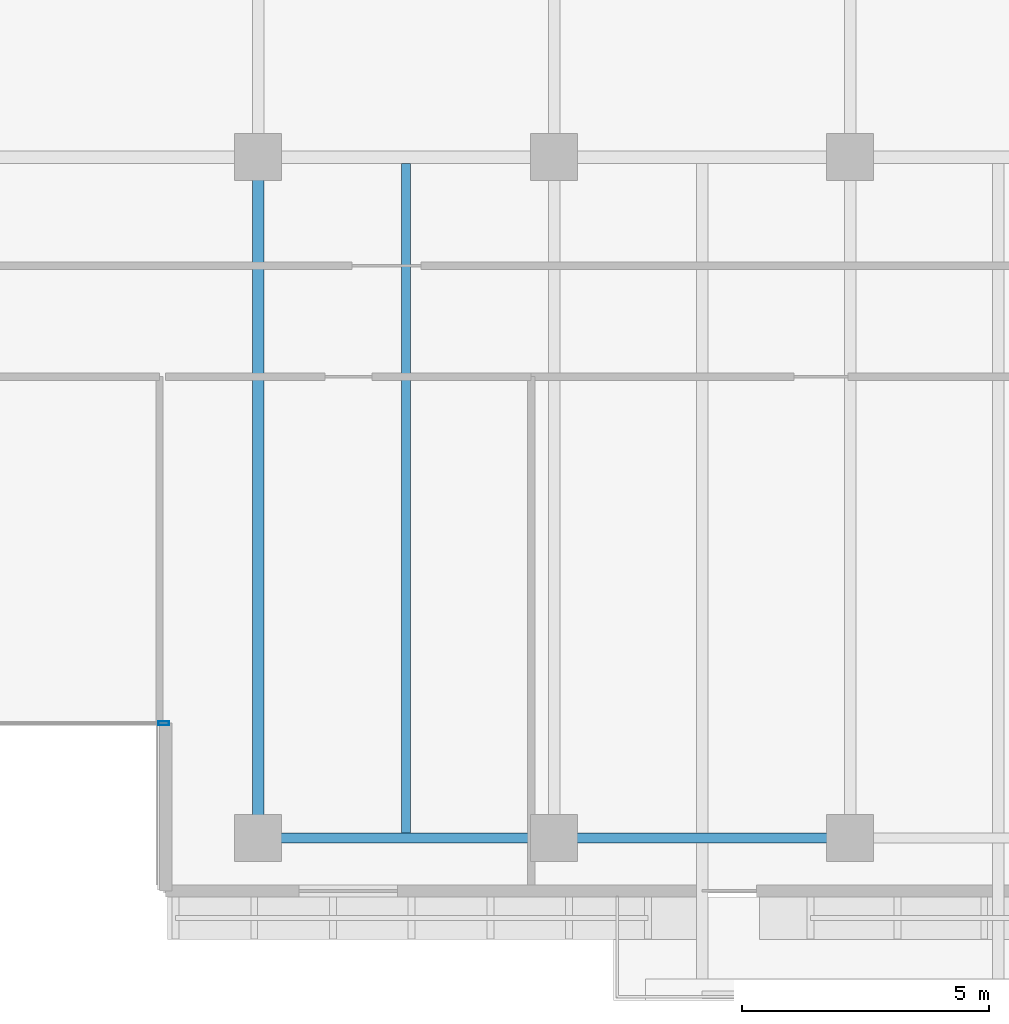
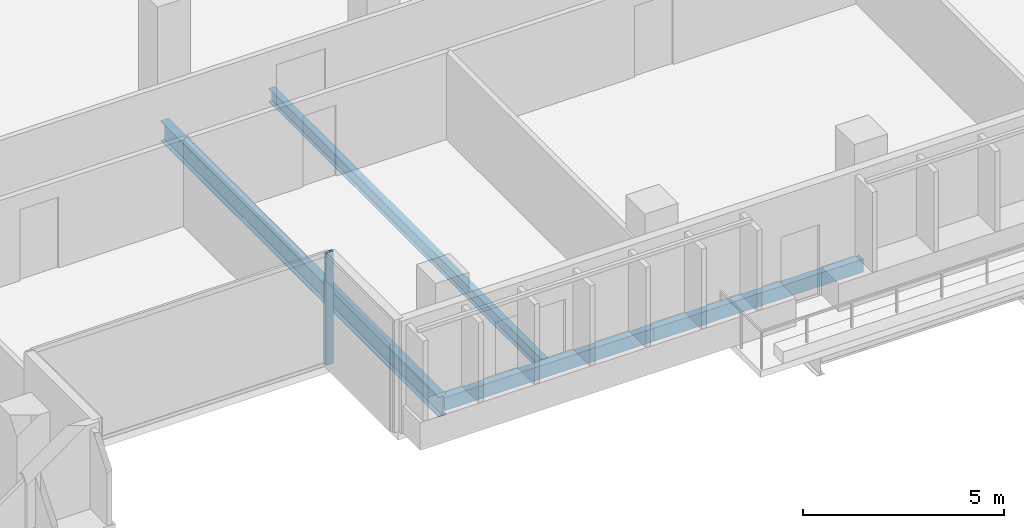
# One storey, part 4 of 22: 4 beams, 1 member, 1 element without a shape of its own.
"""IFC4 building model written with IfcOpenShell, lengths in metres."""

from ifc_helpers import new_model, si_unit, direction, frame, origin, origin_2d, place, context, subcontext, project, spatial, hollow_rectangle, i_section, extrude, material, layer, layer_set, material_profile, profile_set, type_object, element, aggregate, save


model = new_model("IFC4")

# Units and contexts
model_context = context("Model", 3, precision=1e-05, world=origin(), true_north=direction((0.0, 1.0)))
body_context = subcontext(model_context, "Body", "Model", "MODEL_VIEW")
ifc_project = project(units=[si_unit("LENGTHUNIT", "METRE"), si_unit("AREAUNIT", "SQUARE_METRE"), si_unit("VOLUMEUNIT", "CUBIC_METRE"), si_unit("PLANEANGLEUNIT", "RADIAN"), si_unit("MASSUNIT", "GRAM", prefix="KILO")], contexts=[model_context])

# Site, building, storey
site_placement = place(None, origin())
site = spatial("IfcSite", under=ifc_project, at=site_placement, CompositionType="ELEMENT")
building_placement = place(site_placement, origin())
building = spatial("IfcBuilding", under=site, at=building_placement, Name="Tanjung Sevakor Pilgrim Tower", CompositionType="ELEMENT")
storey_placement = place(building_placement, frame((0.0, 0.0, 115.830078125)))
storey = spatial("IfcBuildingStorey", under=building, at=storey_placement, Name="L32", CompositionType="ELEMENT", Elevation=115.830078125)

# Beams
ifc_material_1 = material(Name="Steel S355J2", Category="steel")
ifc_material_profile_1 = material_profile(ifc_material_1, i_section(OverallWidth=0.230224609375, OverallDepth=0.6171875, WebThickness=0.01318359375, FlangeThickness=0.022216796875, FilletRadius=0.0126953125, at=origin_2d()))
ifc_profile_set_1 = profile_set([ifc_material_profile_1], Name="Steel S355J2")
beam_type_1 = type_object("IfcBeamType", Name="BM-B-G3-UB_610x229x140", PredefinedType="BEAM", material=ifc_profile_set_1)
beam_1_placement = place(storey_placement, frame((54.0, 10.800048828125, -0.528564453125), z_axis=(0.0, 1.0, 0.0), x_axis=(-1.0, 0.0, 0.0)))
element("IfcBeam", 1, at=beam_1_placement, inside=storey, type_object=beam_type_1, Name="L32 MAIN Girder 013", PredefinedType="BEAM", context=body_context, shape_type="SweptSolid", body=[
    extrude(i_section(OverallWidth=0.230224609375, OverallDepth=0.6171875, WebThickness=0.01318359375, FlangeThickness=0.022216796875, FilletRadius=0.0126953125, at=origin_2d()), origin(), (0.0, 0.0, 1.0), 13.800048828125),
])
ifc_material_2 = material(Name="Steel S355J2", Category="steel")
ifc_material_profile_2 = material_profile(ifc_material_2, i_section(OverallWidth=0.1787109375, OverallDepth=0.409423828125, WebThickness=0.0087890625, FlangeThickness=0.014404296875, FilletRadius=0.01025390625, at=origin_2d()))
ifc_profile_set_2 = profile_set([ifc_material_profile_2], Name="Steel S355J2")
beam_type_2 = type_object("IfcBeamType", Name="BM-B-J3-UB_406x178x67", PredefinedType="JOIST", material=ifc_profile_set_2)
beam_2_placement = place(storey_placement, frame((57.0, 10.89990234375, -0.4248046875), z_axis=(0.0, 1.0, 0.0), x_axis=(-1.0, 0.0, 0.0)))
element("IfcBeam", 2, at=beam_2_placement, inside=storey, type_object=beam_type_2, Name="L32 MAIN Joist 016", PredefinedType="JOIST", context=body_context, shape_type="SweptSolid", body=[
    extrude(i_section(OverallWidth=0.1787109375, OverallDepth=0.409423828125, WebThickness=0.0087890625, FlangeThickness=0.014404296875, FilletRadius=0.01025390625, at=origin_2d()), origin(), (0.0, 0.0, 1.0), 13.57275390625),
])
ifc_material_3 = material(Name="Steel S355J2", Category="steel")
ifc_material_profile_3 = material_profile(ifc_material_3, hollow_rectangle(XDim=0.199951171875, YDim=0.39990234375, WallThickness=0.01611328125, at=origin_2d()))
ifc_profile_set_3 = profile_set([ifc_material_profile_3], Name="Steel S355J2")
beam_type_3 = type_object("IfcBeamType", Name="BM-B-SP2-RHS_400x200x16", PredefinedType="SPANDREL", material=ifc_profile_set_3)
for number, where, z_axis, x_axis, name in (
    (3, (54.0, 10.800048828125, -0.420166015625), (1.0, 0.0, 0.0), (0.0, 1.0, 0.0), "L32 Spandrel MAIN S-07"),
    (4, (60.0, 10.800048828125, -0.420166015625), (1.0, 0.0, 0.0), (0.0, 1.0, 0.0), "L32 Spandrel MAIN S-09"),
):
    element("IfcBeam", number, at=place(storey_placement, frame(where, z_axis=z_axis, x_axis=x_axis)), inside=storey, type_object=beam_type_3, Name=name, PredefinedType="SPANDREL", context=body_context, shape_type="SweptSolid", body=[
        extrude(hollow_rectangle(XDim=0.199951171875, YDim=0.39990234375, WallThickness=0.01611328125, at=origin_2d()), origin(), (0.0, 0.0, 1.0), 6.0),
    ])

# Curtain wall, member
ifc_material_4 = material(Name="Aluminium 6063-T6 and Low-E Glass", Category="aluminium")
ifc_layer = layer(ifc_material_4, 0.179931640625)
ifc_layer_set = layer_set([ifc_layer], Name="CW-SYS-CLEFT")
curtain_wall_type = type_object("IfcCurtainWallType", Name="CW-SYS-CLEFT", PredefinedType="NOTDEFINED", material=ifc_layer_set)
curtain_wall_placement = place(storey_placement, origin())
curtain_wall = element("IfcCurtainWall", 5, at=curtain_wall_placement, inside=storey, type_object=curtain_wall_type, Name="L32 Curtain Wall CW-CLF-L32-2", PredefinedType="NOTDEFINED")
ifc_material_5 = material(Name="Aluminium 6063-T6", Category="aluminium")
ifc_material_profile_4 = material_profile(ifc_material_5, hollow_rectangle(XDim=0.074951171875, YDim=0.219970703125, WallThickness=0.0048828125, at=origin_2d()))
ifc_profile_set_4 = profile_set([ifc_material_profile_4], Name="Aluminium 6063-T6")
member_type = type_object("IfcMemberType", Name="TYPE-CWM-2", PredefinedType="MULLION", material=ifc_profile_set_4)
member_placement = place(storey_placement, frame((52.08740234375, 13.125, 0.0), z_axis=(0.0, 0.0, 1.0), x_axis=(0.0, 1.0, 0.0)))
member = element("IfcMember", 6, at=member_placement, type_object=member_type, Name="CW-CLF mullion 2", PredefinedType="MULLION", context=body_context, shape_type="SweptSolid", body=[
    extrude(hollow_rectangle(XDim=0.074951171875, YDim=0.219970703125, WallThickness=0.0048828125, at=origin_2d()), origin(), (0.0, 0.0, 1.0), 3.409912109375),
])
aggregate(curtain_wall, [member])

save(model, "model.ifc")
